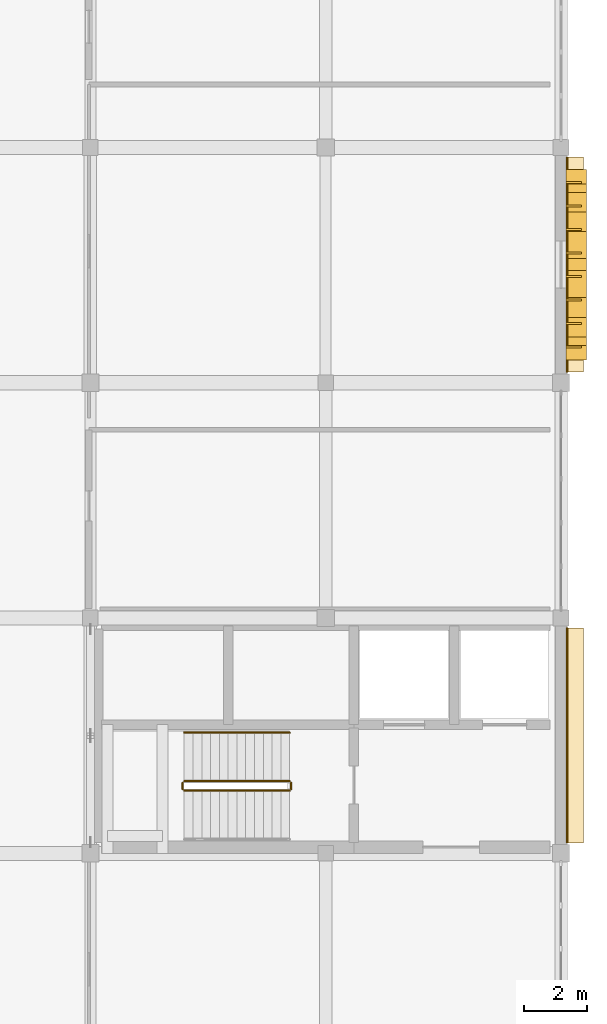
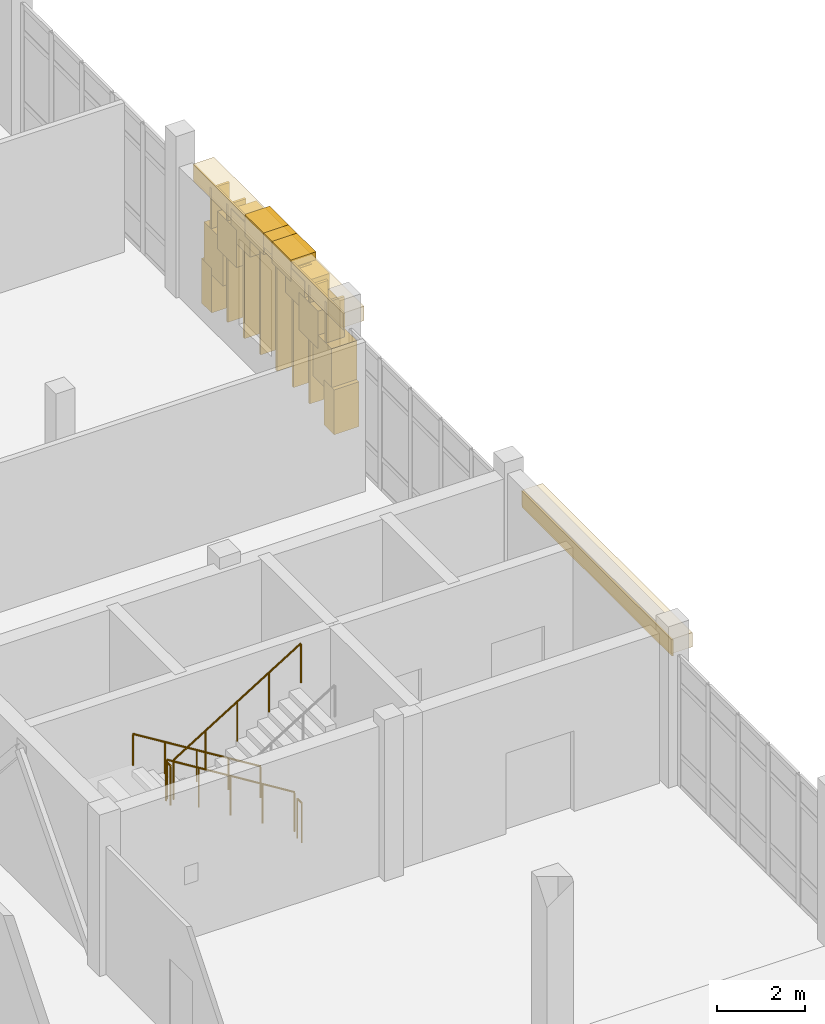
# One storey, part 125 of 128: 15 coverings, 8 shading devices, 5 railings.
"""IFC4 building model written with IfcOpenShell, lengths in metres."""

from ifc_helpers import new_model, si_unit, direction, frame, origin, origin_2d, place, context, subcontext, project, spatial, rectangle, circle, extrude, material, layer, layer_set, type_object, element, save


model = new_model("IFC4")

# Units and contexts
model_context = context("Model", 3, precision=1e-05, world=origin(), true_north=direction((0.0, 1.0)))
body_context = subcontext(model_context, "Body", "Model", "MODEL_VIEW")
ifc_project = project(units=[si_unit("LENGTHUNIT", "METRE"), si_unit("AREAUNIT", "SQUARE_METRE"), si_unit("VOLUMEUNIT", "CUBIC_METRE"), si_unit("PLANEANGLEUNIT", "RADIAN"), si_unit("MASSUNIT", "GRAM", prefix="KILO")], contexts=[model_context])

# Site, building, storey
site_placement = place(None, origin())
site = spatial("IfcSite", under=ifc_project, at=site_placement, CompositionType="ELEMENT")
building_placement = place(site_placement, origin())
building = spatial("IfcBuilding", under=site, at=building_placement, Name="Dalvernix Boulevard General Hospital", CompositionType="ELEMENT")
storey_placement = place(building_placement, frame((0.0, 0.0, 4.800048828125)))
storey = spatial("IfcBuildingStorey", under=building, at=storey_placement, Name="L01", CompositionType="ELEMENT", Elevation=4.800048828125)

# Coverings
ifc_material_1 = material(Name="Pressed Catalan clay brick and dressed limestone parabolic archivolt", Category="masonry")
ifc_layer_1 = layer(ifc_material_1, 0.419921875)
ifc_layer_set_1 = layer_set([ifc_layer_1], Name="Pressed Catalan clay brick and dressed limestone parabolic archivolt (COV-ARC-01)")
covering_type_1 = type_object("IfcCoveringType", Name="COV-ARC-01", PredefinedType="CLADDING", material=ifc_layer_set_1)
for number, where, z_axis, x_axis, name in (
    (1, (172.985107421875, 60.5625, 0.0), (0.0, 0.0, 1.0), (0.0, -1.0, 0.0), "L01 Catalan parabolic arch impost pier E 23-7-L"),
    (2, (172.985107421875, 54.96240234375, 0.0), (0.0, 0.0, 1.0), (0.0, -1.0, 0.0), "L01 Catalan parabolic arch impost pier E 23-7-R"),
):
    element("IfcCovering", number, at=place(storey_placement, frame(where, z_axis=z_axis, x_axis=x_axis)), inside=storey, type_object=covering_type_1, Name=name, PredefinedType="CLADDING", context=body_context, shape_type="SweptSolid", body=[
        extrude(rectangle(XDim=0.4599609375, YDim=0.659912109375, at=origin_2d()), origin(), (0.0, 0.0, 1.0), 1.25),
    ])
covering_1_placement = place(storey_placement, frame((172.985107421875, 60.25146484375, 1.06005859375), z_axis=(0.0, 0.0, 1.0), x_axis=(0.0, -1.0, 0.0)))
element("IfcCovering", 3, at=covering_1_placement, inside=storey, type_object=covering_type_1, Name="L01 Catalan parabolic archivolt voussoir E 23-7-1", PredefinedType="CLADDING", context=body_context, shape_type="SweptSolid", body=[
    extrude(rectangle(XDim=0.8623046875, YDim=0.659912109375, at=origin_2d()), origin(), (0.0, 0.0, 1.0), 1.272705078125),
])
covering_2_placement = place(storey_placement, frame((172.985107421875, 59.629150390625, 1.95263671875), z_axis=(0.0, 0.0, 1.0), x_axis=(0.0, -1.0, 0.0)))
element("IfcCovering", 4, at=covering_2_placement, inside=storey, type_object=covering_type_1, Name="L01 Catalan parabolic archivolt voussoir E 23-7-2", PredefinedType="CLADDING", context=body_context, shape_type="SweptSolid", body=[
    extrude(rectangle(XDim=0.8623046875, YDim=0.659912109375, at=origin_2d()), origin(), (0.0, 0.0, 1.0), 1.049560546875),
])
covering_3_placement = place(storey_placement, frame((172.985107421875, 59.0068359375, 2.62255859375), z_axis=(0.0, 0.0, 1.0), x_axis=(0.0, -1.0, 0.0)))
element("IfcCovering", 5, at=covering_3_placement, inside=storey, type_object=covering_type_1, Name="L01 Catalan parabolic archivolt voussoir E 23-7-3", PredefinedType="CLADDING", context=body_context, shape_type="SweptSolid", body=[
    extrude(rectangle(XDim=0.8623046875, YDim=0.659912109375, at=origin_2d()), origin(), (0.0, 0.0, 1.0), 0.826416015625),
])
covering_4_placement = place(storey_placement, frame((172.985107421875, 58.384765625, 3.06884765625), z_axis=(0.0, 0.0, 1.0), x_axis=(0.0, -1.0, 0.0)))
element("IfcCovering", 6, at=covering_4_placement, inside=storey, type_object=covering_type_1, Name="L01 Catalan parabolic archivolt voussoir E 23-7-4", PredefinedType="CLADDING", context=body_context, shape_type="SweptSolid", body=[
    extrude(rectangle(XDim=0.8623046875, YDim=0.659912109375, at=origin_2d()), origin(), (0.0, 0.0, 1.0), 0.603271484375),
])
covering_5_placement = place(storey_placement, frame((172.985107421875, 57.762451171875, 3.2919921875), z_axis=(0.0, 0.0, 1.0), x_axis=(0.0, -1.0, 0.0)))
element("IfcCovering", 7, at=covering_5_placement, inside=storey, type_object=covering_type_1, Name="L01 Catalan parabolic archivolt voussoir E 23-7-5", PredefinedType="CLADDING", context=body_context, shape_type="SweptSolid", body=[
    extrude(rectangle(XDim=0.8623046875, YDim=0.659912109375, at=origin_2d()), origin(), (0.0, 0.0, 1.0), 0.3798828125),
])
covering_6_placement = place(storey_placement, frame((172.985107421875, 57.140380859375, 3.06884765625), z_axis=(0.0, 0.0, 1.0), x_axis=(0.0, -1.0, 0.0)))
element("IfcCovering", 8, at=covering_6_placement, inside=storey, type_object=covering_type_1, Name="L01 Catalan parabolic archivolt voussoir E 23-7-6", PredefinedType="CLADDING", context=body_context, shape_type="SweptSolid", body=[
    extrude(rectangle(XDim=0.8623046875, YDim=0.659912109375, at=origin_2d()), origin(), (0.0, 0.0, 1.0), 0.603271484375),
])
covering_7_placement = place(storey_placement, frame((172.985107421875, 56.51806640625, 2.62255859375), z_axis=(0.0, 0.0, 1.0), x_axis=(0.0, -1.0, 0.0)))
element("IfcCovering", 9, at=covering_7_placement, inside=storey, type_object=covering_type_1, Name="L01 Catalan parabolic archivolt voussoir E 23-7-7", PredefinedType="CLADDING", context=body_context, shape_type="SweptSolid", body=[
    extrude(rectangle(XDim=0.8623046875, YDim=0.659912109375, at=origin_2d()), origin(), (0.0, 0.0, 1.0), 0.826416015625),
])
covering_8_placement = place(storey_placement, frame((172.985107421875, 55.895751953125, 1.95263671875), z_axis=(0.0, 0.0, 1.0), x_axis=(0.0, -1.0, 0.0)))
element("IfcCovering", 10, at=covering_8_placement, inside=storey, type_object=covering_type_1, Name="L01 Catalan parabolic archivolt voussoir E 23-7-8", PredefinedType="CLADDING", context=body_context, shape_type="SweptSolid", body=[
    extrude(rectangle(XDim=0.8623046875, YDim=0.659912109375, at=origin_2d()), origin(), (0.0, 0.0, 1.0), 1.049560546875),
])
covering_9_placement = place(storey_placement, frame((172.985107421875, 55.273681640625, 1.06005859375), z_axis=(0.0, 0.0, 1.0), x_axis=(0.0, -1.0, 0.0)))
element("IfcCovering", 11, at=covering_9_placement, inside=storey, type_object=covering_type_1, Name="L01 Catalan parabolic archivolt voussoir E 23-7-9", PredefinedType="CLADDING", context=body_context, shape_type="SweptSolid", body=[
    extrude(rectangle(XDim=0.8623046875, YDim=0.659912109375, at=origin_2d()), origin(), (0.0, 0.0, 1.0), 1.272705078125),
])
ifc_material_2 = material(Name="Polychrome Catalan glazed ceramic spandrel tile panel")
ifc_layer_2 = layer(ifc_material_2, 0.044921875)
ifc_layer_set_2 = layer_set([ifc_layer_2], Name="Polychrome Catalan glazed ceramic spandrel tile panel (COV-CLD-01)")
covering_type_2 = type_object("IfcCoveringType", Name="COV-CLD-01", PredefinedType="CLADDING", material=ifc_layer_set_2)
for number, where, z_axis, x_axis, name in (
    (12, (172.695068359375, 42.762451171875, 3.15478515625), (0.0, 0.0, 1.0), (0.0, -1.0, 0.0), "L01 polychrome ceramic spandrel E 23-5"),
    (13, (172.695068359375, 57.762451171875, 3.15478515625), (0.0, 0.0, 1.0), (0.0, -1.0, 0.0), "L01 polychrome ceramic spandrel E 23-7"),
):
    element("IfcCovering", number, at=place(storey_placement, frame(where, z_axis=z_axis, x_axis=x_axis)), inside=storey, type_object=covering_type_2, Name=name, PredefinedType="CLADDING", context=body_context, shape_type="SweptSolid", body=[
        extrude(rectangle(XDim=6.85498046875, YDim=0.044921875, at=origin_2d()), origin(), (0.0, 0.0, 1.0), 0.449951171875),
    ])
ifc_material_3 = material(Name="Dressed ochre limestone classical plinth, stringcourse and corbelled cornice", Category="masonry")
ifc_layer_3 = layer(ifc_material_3, 0.449951171875)
ifc_layer_set_3 = layer_set([ifc_layer_3], Name="Dressed ochre limestone classical plinth, stringcourse and corbelled cornice (COV-CRN-01)")
covering_type_3 = type_object("IfcCoveringType", Name="COV-CRN-01", PredefinedType="CLADDING", material=ifc_layer_set_3)
for number, where, z_axis, x_axis, name in (
    (14, (172.93505859375, 42.762451171875, 3.22998046875), (0.0, 0.0, 1.0), (0.0, -1.0, 0.0), "L01 classical corbelled cornice frieze E 23-5"),
    (15, (172.93505859375, 57.762451171875, 3.22998046875), (0.0, 0.0, 1.0), (0.0, -1.0, 0.0), "L01 classical corbelled cornice frieze E 23-7"),
):
    element("IfcCovering", number, at=place(storey_placement, frame(where, z_axis=z_axis, x_axis=x_axis)), inside=storey, type_object=covering_type_3, Name=name, PredefinedType="CLADDING", context=body_context, shape_type="SweptSolid", body=[
        extrude(rectangle(XDim=6.85498046875, YDim=0.56005859375, at=origin_2d()), origin(), (0.0, 0.0, 1.0), 0.39990234375),
    ])

# Railings
ifc_material_4 = material(Name="Brushed stainless steel balustrade", Category="steel")
railing_type_1 = type_object("IfcRailingType", Name="RL-GR-INT1", PredefinedType="BALUSTRADE", material=ifc_material_4)
railing_1_placement = place(storey_placement, frame((163.85009765625, 41.300048828125, 0.173095703125)))
element("IfcRailing", 16, at=railing_1_placement, inside=storey, type_object=railing_type_1, Name="L01 ST-06 stair guard 1", PredefinedType="BALUSTRADE", context=body_context, shape_type="SweptSolid", body=[
    extrude(circle(Radius=0.02392578125, at=origin_2d()), frame((0.0, 0.0, 1.09619140625), z_axis=(-0.850623216509, 0.0, 0.525775754039), x_axis=(0.0, -1.0, 0.0)), (0.0, 0.0, 1.0), 3.9501953125),
    extrude(circle(Radius=0.02099609375, at=origin_2d()), origin(), (0.0, 0.0, 1.0), 1.072021484375),
    extrude(circle(Radius=0.02099609375, at=origin_2d()), frame((-0.840087890625, 0.0, 0.519287109375)), (0.0, 0.0, 1.0), 1.072021484375),
    extrude(circle(Radius=0.02099609375, at=origin_2d()), frame((-1.68017578125, 0.0, 1.03857421875)), (0.0, 0.0, 1.0), 1.072021484375),
    extrude(circle(Radius=0.02099609375, at=origin_2d()), frame((-2.52001953125, 0.0, 1.5576171875)), (0.0, 0.0, 1.0), 1.072021484375),
    extrude(circle(Radius=0.02099609375, at=origin_2d()), frame((-3.360107421875, 0.0, 2.076904296875)), (0.0, 0.0, 1.0), 1.072021484375),
])
railing_2_placement = place(storey_placement, frame((160.43994140625, 41.25, 2.25)))
element("IfcRailing", 17, at=railing_2_placement, inside=storey, type_object=railing_type_1, Name="L01 ST-06 stair guard 2", PredefinedType="BALUSTRADE", context=body_context, shape_type="SweptSolid", body=[
    extrude(circle(Radius=0.02392578125, at=origin_2d()), frame((0.0, 0.0, 1.09619140625), z_axis=(0.0, -1.0, 0.0), x_axis=(1.0, 0.0, 0.0)), (0.0, 0.0, 1.0), 0.199951171875),
    extrude(circle(Radius=0.02099609375, at=origin_2d()), origin(), (0.0, 0.0, 1.0), 1.072021484375),
    extrude(circle(Radius=0.02099609375, at=origin_2d()), frame((0.0, -0.199951171875, 0.0)), (0.0, 0.0, 1.0), 1.072021484375),
])
railing_3_placement = place(storey_placement, frame((160.489990234375, 41.0, 2.423095703125)))
element("IfcRailing", 18, at=railing_3_placement, inside=storey, type_object=railing_type_1, Name="L01 ST-06 stair guard 3", PredefinedType="BALUSTRADE", context=body_context, shape_type="SweptSolid", body=[
    extrude(circle(Radius=0.02392578125, at=origin_2d()), frame((0.0, 0.0, 1.09619140625), z_axis=(0.850623216509, 0.0, 0.525775754039), x_axis=(0.0, 1.0, 0.0)), (0.0, 0.0, 1.0), 3.9501953125),
    extrude(circle(Radius=0.02099609375, at=origin_2d()), origin(), (0.0, 0.0, 1.0), 1.072021484375),
    extrude(circle(Radius=0.02099609375, at=origin_2d()), frame((0.840087890625, 0.0, 0.519287109375)), (0.0, 0.0, 1.0), 1.072021484375),
    extrude(circle(Radius=0.02099609375, at=origin_2d()), frame((1.68017578125, 0.0, 1.03857421875)), (0.0, 0.0, 1.0), 1.072021484375),
    extrude(circle(Radius=0.02099609375, at=origin_2d()), frame((2.52001953125, 0.0, 1.5576171875)), (0.0, 0.0, 1.0), 1.072021484375),
    extrude(circle(Radius=0.02099609375, at=origin_2d()), frame((3.360107421875, 0.0, 2.076904296875)), (0.0, 0.0, 1.0), 1.072021484375),
])
railing_4_placement = place(storey_placement, frame((163.89990234375, 41.25, 0.0)))
element("IfcRailing", 19, at=railing_4_placement, inside=storey, type_object=railing_type_1, Name="L01 ST-06 stair guard 4", PredefinedType="BALUSTRADE", context=body_context, shape_type="SweptSolid", body=[
    extrude(circle(Radius=0.02392578125, at=origin_2d()), frame((0.0, 0.0, 1.09619140625), z_axis=(0.0, -1.0, 0.0), x_axis=(1.0, 0.0, 0.0)), (0.0, 0.0, 1.0), 0.199951171875),
    extrude(circle(Radius=0.02099609375, at=origin_2d()), origin(), (0.0, 0.0, 1.0), 1.072021484375),
    extrude(circle(Radius=0.02099609375, at=origin_2d()), frame((0.0, -0.199951171875, 0.0)), (0.0, 0.0, 1.0), 1.072021484375),
])
ifc_material_5 = material(Name="Brushed stainless steel wall handrail", Category="steel")
railing_type_2 = type_object("IfcRailingType", Name="RL-HR-INT1", PredefinedType="HANDRAIL", material=ifc_material_5)
railing_5_placement = place(storey_placement, frame((163.85009765625, 42.85009765625, 0.173095703125)))
element("IfcRailing", 20, at=railing_5_placement, inside=storey, type_object=railing_type_2, Name="L01 ST-06 stair handrail 1", PredefinedType="HANDRAIL", context=body_context, shape_type="SweptSolid", body=[
    extrude(circle(Radius=0.02392578125, at=origin_2d()), frame((0.0, 0.0, 0.8759765625), z_axis=(-0.850623216509, 0.0, 0.525775754039), x_axis=(0.0, -1.0, 0.0)), (0.0, 0.0, 1.0), 3.9501953125),
    extrude(circle(Radius=0.02099609375, at=origin_2d()), origin(), (0.0, 0.0, 1.0), 0.851806640625),
    extrude(circle(Radius=0.02099609375, at=origin_2d()), frame((-0.840087890625, 0.0, 0.519287109375)), (0.0, 0.0, 1.0), 0.851806640625),
    extrude(circle(Radius=0.02099609375, at=origin_2d()), frame((-1.68017578125, 0.0, 1.03857421875)), (0.0, 0.0, 1.0), 0.851806640625),
    extrude(circle(Radius=0.02099609375, at=origin_2d()), frame((-2.52001953125, 0.0, 1.5576171875)), (0.0, 0.0, 1.0), 0.851806640625),
    extrude(circle(Radius=0.02099609375, at=origin_2d()), frame((-3.360107421875, 0.0, 2.076904296875)), (0.0, 0.0, 1.0), 0.851806640625),
])

# Shading devices
ifc_material_6 = material(Name="Preservative-treated West African iroko timber", Category="wood")
shading_device_type = type_object("IfcShadingDeviceType", Name="SHD-FIN-01", PredefinedType="USERDEFINED", material=ifc_material_6)
for number, where, z_axis, x_axis, name in (
    (21, (172.905029296875, 60.387451171875, 0.1748046875), (0.0, 0.0, 1.0), (0.0, -1.0, 0.0), "L01 iroko brise-soleil fin 1"),
    (22, (172.905029296875, 59.637451171875, 0.1748046875), (0.0, 0.0, 1.0), (0.0, -1.0, 0.0), "L01 iroko brise-soleil fin 2"),
    (23, (172.905029296875, 58.887451171875, 0.1748046875), (0.0, 0.0, 1.0), (0.0, -1.0, 0.0), "L01 iroko brise-soleil fin 3"),
    (24, (172.905029296875, 58.137451171875, 0.1748046875), (0.0, 0.0, 1.0), (0.0, -1.0, 0.0), "L01 iroko brise-soleil fin 4"),
    (25, (172.905029296875, 57.387451171875, 0.1748046875), (0.0, 0.0, 1.0), (0.0, -1.0, 0.0), "L01 iroko brise-soleil fin 5"),
    (26, (172.905029296875, 56.637451171875, 0.1748046875), (0.0, 0.0, 1.0), (0.0, -1.0, 0.0), "L01 iroko brise-soleil fin 6"),
    (27, (172.905029296875, 55.887451171875, 0.1748046875), (0.0, 0.0, 1.0), (0.0, -1.0, 0.0), "L01 iroko brise-soleil fin 7"),
    (28, (172.905029296875, 55.137451171875, 0.1748046875), (0.0, 0.0, 1.0), (0.0, -1.0, 0.0), "L01 iroko brise-soleil fin 8"),
):
    element("IfcShadingDevice", number, at=place(storey_placement, frame(where, z_axis=z_axis, x_axis=x_axis)), inside=storey, type_object=shading_device_type, Name=name, ObjectType="FIN", PredefinedType="USERDEFINED", context=body_context, shape_type="SweptSolid", body=[
        extrude(rectangle(XDim=0.06494140625, YDim=0.47998046875, at=origin_2d()), origin(), (0.0, 0.0, 1.0), 3.280029296875),
    ])

save(model, "model.ifc")
